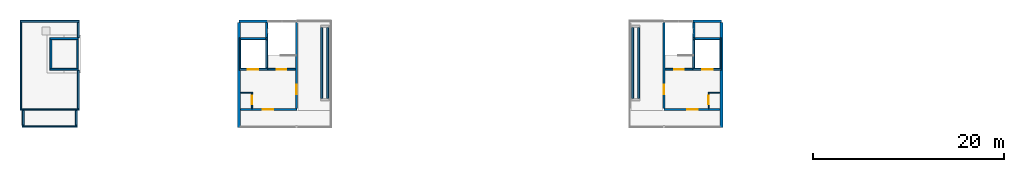
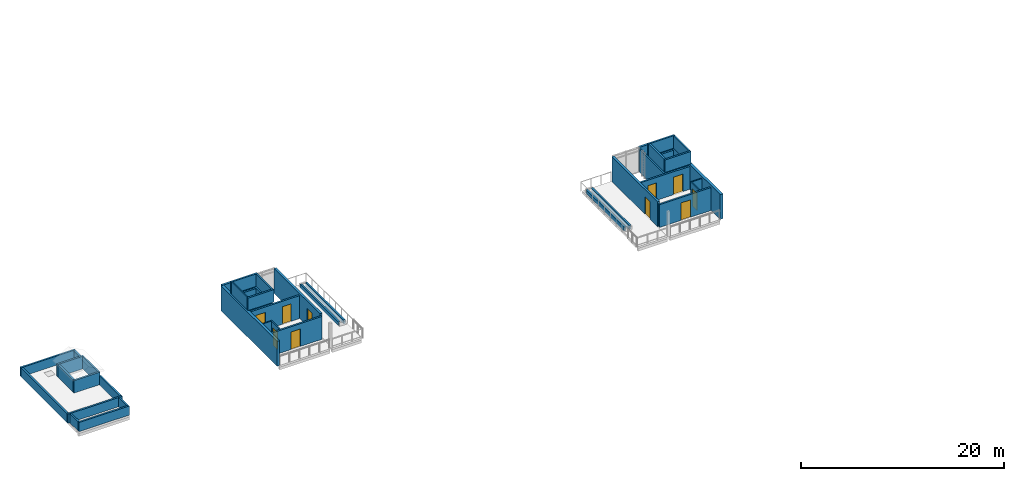
# One storey, part 10 of 15: 42 walls, 10 doors, 10 openings.
"""IFC4 building model written with IfcOpenShell, lengths in metres."""

from ifc_helpers import new_model, si_unit, direction, frame, frame_2d, origin, place, context, subcontext, project, spatial, rectangle, extrude, material, layer, layer_set, type_object, element, fill, save


model = new_model("IFC4")

# Units and contexts
model_context = context("Model", 3, precision=1e-05, world=origin(), true_north=direction((0.0, 1.0)))
body_context = subcontext(model_context, "Body", "Model", "MODEL_VIEW")
ifc_project = project(units=[si_unit("LENGTHUNIT", "METRE"), si_unit("AREAUNIT", "SQUARE_METRE"), si_unit("VOLUMEUNIT", "CUBIC_METRE"), si_unit("PLANEANGLEUNIT", "RADIAN"), si_unit("MASSUNIT", "GRAM", prefix="KILO")], contexts=[model_context])

# Site, building, storey
site_placement = place(None, origin())
site = spatial("IfcSite", under=ifc_project, at=site_placement, CompositionType="ELEMENT")
building_placement = place(site_placement, origin())
building = spatial("IfcBuilding", under=site, at=building_placement, Name="Ridgestep Commons", CompositionType="ELEMENT")
storey_placement = place(building_placement, frame((0.0, 0.0, 45.0)))
storey = spatial("IfcBuildingStorey", under=building, at=storey_placement, Name="L15", CompositionType="ELEMENT", Elevation=45.0)

# Wall, opening, door
ifc_material_1 = material(Name="Concrete C30/37", Category="concrete")
ifc_layer_1 = layer(ifc_material_1, 0.199951171875)
ifc_layer_set_1 = layer_set([ifc_layer_1], Name="Core south wall 200")
wall_type_1 = type_object("IfcWallType", Name="Core south wall 200", PredefinedType="SHEAR", material=ifc_layer_set_1)
wall_1_placement = place(storey_placement, frame((45.75, 13.64990234375, 0.0), z_axis=(0.0, 0.0, 1.0), x_axis=(1.0, 0.0, 0.0)))
wall_1 = element("IfcWall", 1, at=wall_1_placement, inside=storey, type_object=wall_type_1, Name="Core south wall A3C L15", PredefinedType="SHEAR", context=body_context, shape_type="SweptSolid", body=[
    extrude(rectangle(XDim=5.85009765625, YDim=0.199951171875, at=frame_2d((2.925048828125, 0.0))), origin(), (0.0, 0.0, 1.0), 2.75),
])
opening_1_placement = place(wall_1_placement, frame((2.3125, 0.0, 0.0)))
opening_1 = element("IfcOpeningElement", 2, at=opening_1_placement, cuts=wall_1, Name="Opening A3C/15/1", PredefinedType="OPENING", context=body_context, shape_type="SweptSolid", body=[
    extrude(rectangle(XDim=1.10009765625, YDim=2.10009765625, at=frame_2d((0.550048828125, 1.050048828125))), frame((0.0, 0.10986328125, 0.0), z_axis=(0.0, -1.0, 0.0), x_axis=(1.0, 0.0, 0.0)), (0.0, 0.0, 1.0), 0.219970703125),
])
ifc_material_2 = material(Name="Steel fire door", Category="steel")
door_type_1 = type_object("IfcDoorType", Name="Lobby door 1100 x 2100 FD60", OperationType="NOTDEFINED", PredefinedType="DOOR", material=ifc_material_2)
door_1_placement = place(opening_1_placement, origin())
door_1 = element("IfcDoor", 3, at=door_1_placement, inside=storey, type_object=door_type_1, Name="Lobby door A3C/15/1", OperationType="SINGLE_SWING_LEFT", OverallHeight=2.10009765625, OverallWidth=1.10009765625, PredefinedType="DOOR", context=body_context, shape_type="SweptSolid", body=[
    extrude(rectangle(XDim=1.10009765625, YDim=2.10009765625, at=frame_2d((0.550048828125, 1.050048828125))), frame((0.0, 0.02490234375, 0.0), z_axis=(0.0, -1.0, 0.0), x_axis=(1.0, 0.0, 0.0)), (0.0, 0.0, 1.0), 0.050048828125),
])
fill(opening_1, door_1)

wall_2_placement = place(storey_placement, frame((90.0, 13.64990234375, 0.0), z_axis=(0.0, 0.0, 1.0), x_axis=(1.0, 0.0, 0.0)))
wall_2 = element("IfcWall", 4, at=wall_2_placement, inside=storey, type_object=wall_type_1, Name="Core south wall A5C L15", PredefinedType="SHEAR", context=body_context, shape_type="SweptSolid", body=[
    extrude(rectangle(XDim=5.85009765625, YDim=0.199951171875, at=frame_2d((2.925048828125, 0.0))), origin(), (0.0, 0.0, 1.0), 2.75),
])
opening_2_placement = place(wall_2_placement, frame((2.4375, 0.0, 0.0)))
opening_2 = element("IfcOpeningElement", 5, at=opening_2_placement, cuts=wall_2, Name="Opening A5C/15/1", PredefinedType="OPENING", context=body_context, shape_type="SweptSolid", body=[
    extrude(rectangle(XDim=1.10009765625, YDim=2.10009765625, at=frame_2d((0.550048828125, 1.050048828125))), frame((0.0, 0.10986328125, 0.0), z_axis=(0.0, -1.0, 0.0), x_axis=(1.0, 0.0, 0.0)), (0.0, 0.0, 1.0), 0.219970703125),
])
door_2_placement = place(opening_2_placement, origin())
door_2 = element("IfcDoor", 6, at=door_2_placement, inside=storey, type_object=door_type_1, Name="Lobby door A5C/15/1", OperationType="SINGLE_SWING_LEFT", OverallHeight=2.10009765625, OverallWidth=1.10009765625, PredefinedType="DOOR", context=body_context, shape_type="SweptSolid", body=[
    extrude(rectangle(XDim=1.10009765625, YDim=2.10009765625, at=frame_2d((0.550048828125, 1.050048828125))), frame((0.0, 0.02490234375, 0.0), z_axis=(0.0, -1.0, 0.0), x_axis=(1.0, 0.0, 0.0)), (0.0, 0.0, 1.0), 0.050048828125),
])
fill(opening_2, door_2)

ifc_material_3 = material(Name="Concrete C30/37", Category="concrete")
ifc_layer_2 = layer(ifc_material_3, 0.1201171875)
ifc_layer_set_2 = layer_set([ifc_layer_2], Name="Core wall 120")
wall_type_2 = type_object("IfcWallType", Name="Core wall 120", PredefinedType="SHEAR", material=ifc_layer_set_2)
wall_3_placement = place(storey_placement, frame((46.93994140625, 13.75, 0.0), z_axis=(0.0, 0.0, 1.0), x_axis=(0.0, 1.0, 0.0)))
wall_3 = element("IfcWall", 7, at=wall_3_placement, inside=storey, type_object=wall_type_2, Name="Core riser w wall A3C L15", PredefinedType="SHEAR", context=body_context, shape_type="SweptSolid", body=[
    extrude(rectangle(XDim=1.719970703125, YDim=0.1201171875, at=frame_2d((0.85986328125, 0.0))), origin(), (0.0, 0.0, 1.0), 2.75),
])
opening_3_placement = place(wall_3_placement, frame((0.449951171875, 0.0, 0.0)))
opening_3 = element("IfcOpeningElement", 8, at=opening_3_placement, cuts=wall_3, Name="Opening A3C/15/4", PredefinedType="OPENING", context=body_context, shape_type="SweptSolid", body=[
    extrude(rectangle(XDim=0.89990234375, YDim=2.10009765625, at=frame_2d((0.449951171875, 1.050048828125))), frame((0.0, 0.070068359375, 0.0), z_axis=(0.0, -1.0, 0.0), x_axis=(1.0, 0.0, 0.0)), (0.0, 0.0, 1.0), 0.14013671875),
])
ifc_material_4 = material(Name="Steel fire door", Category="steel")
door_type_2 = type_object("IfcDoorType", Name="Riser door 900 x 2100 FD60", OperationType="NOTDEFINED", PredefinedType="DOOR", material=ifc_material_4)
door_3_placement = place(opening_3_placement, origin())
door_3 = element("IfcDoor", 9, at=door_3_placement, inside=storey, type_object=door_type_2, Name="Riser door A3C/15/4", OperationType="SINGLE_SWING_RIGHT", OverallHeight=2.10009765625, OverallWidth=0.89990234375, PredefinedType="DOOR", context=body_context, shape_type="SweptSolid", body=[
    extrude(rectangle(XDim=0.89990234375, YDim=2.10009765625, at=frame_2d((0.449951171875, 1.050048828125))), frame((0.0, 0.02490234375, 0.0), z_axis=(0.0, -1.0, 0.0), x_axis=(1.0, 0.0, 0.0)), (0.0, 0.0, 1.0), 0.050048828125),
])
fill(opening_3, door_3)

# Wall
wall_4_placement = place(storey_placement, frame((45.75, 15.409912109375, 0.0), z_axis=(0.0, 0.0, 1.0), x_axis=(1.0, 0.0, 0.0)))
element("IfcWall", 10, at=wall_4_placement, inside=storey, type_object=wall_type_2, Name="Core riser n wall A3C L15", PredefinedType="SHEAR", context=body_context, shape_type="SweptSolid", body=[
    extrude(rectangle(XDim=1.1298828125, YDim=0.1201171875, at=frame_2d((0.56494140625, 0.0))), origin(), (0.0, 0.0, 1.0), 2.75),
])

# Wall, opening, door
wall_5_placement = place(storey_placement, frame((94.659912109375, 13.75, 0.0), z_axis=(0.0, 0.0, 1.0), x_axis=(0.0, 1.0, 0.0)))
wall_5 = element("IfcWall", 11, at=wall_5_placement, inside=storey, type_object=wall_type_2, Name="Core riser w wall A5C L15", PredefinedType="SHEAR", context=body_context, shape_type="SweptSolid", body=[
    extrude(rectangle(XDim=1.719970703125, YDim=0.1201171875, at=frame_2d((0.85986328125, 0.0))), origin(), (0.0, 0.0, 1.0), 2.75),
])
opening_4_placement = place(wall_5_placement, frame((0.449951171875, 0.0, 0.0)))
opening_4 = element("IfcOpeningElement", 12, at=opening_4_placement, cuts=wall_5, Name="Opening A5C/15/4", PredefinedType="OPENING", context=body_context, shape_type="SweptSolid", body=[
    extrude(rectangle(XDim=0.89990234375, YDim=2.10009765625, at=frame_2d((0.449951171875, 1.050048828125))), frame((0.0, 0.070068359375, 0.0), z_axis=(0.0, -1.0, 0.0), x_axis=(1.0, 0.0, 0.0)), (0.0, 0.0, 1.0), 0.14013671875),
])
door_4_placement = place(opening_4_placement, origin())
door_4 = element("IfcDoor", 13, at=door_4_placement, inside=storey, type_object=door_type_2, Name="Riser door A5C/15/4", OperationType="SINGLE_SWING_LEFT", OverallHeight=2.10009765625, OverallWidth=0.89990234375, PredefinedType="DOOR", context=body_context, shape_type="SweptSolid", body=[
    extrude(rectangle(XDim=0.89990234375, YDim=2.10009765625, at=frame_2d((0.449951171875, 1.050048828125))), frame((0.0, 0.02490234375, 0.0), z_axis=(0.0, -1.0, 0.0), x_axis=(1.0, 0.0, 0.0)), (0.0, 0.0, 1.0), 0.050048828125),
])
fill(opening_4, door_4)

# Wall
wall_6_placement = place(storey_placement, frame((94.719970703125, 15.409912109375, 0.0), z_axis=(0.0, 0.0, 1.0), x_axis=(1.0, 0.0, 0.0)))
element("IfcWall", 14, at=wall_6_placement, inside=storey, type_object=wall_type_2, Name="Core riser n wall A5C L15", PredefinedType="SHEAR", context=body_context, shape_type="SweptSolid", body=[
    extrude(rectangle(XDim=1.130126953125, YDim=0.1201171875, at=frame_2d((0.56494140625, 0.0))), origin(), (0.0, 0.0, 1.0), 2.75),
])

# Wall, openings, doors
ifc_material_5 = material(Name="Concrete C30/37", Category="concrete")
ifc_layer_3 = layer(ifc_material_5, 0.199951171875)
ifc_layer_set_3 = layer_set([ifc_layer_3], Name="Core wall 200")
wall_type_3 = type_object("IfcWallType", Name="Core wall 200", PredefinedType="SHEAR", material=ifc_layer_set_3)
wall_7_placement = place(storey_placement, frame((45.75, 17.85009765625, 0.0), z_axis=(0.0, 0.0, 1.0), x_axis=(1.0, 0.0, 0.0)))
wall_7 = element("IfcWall", 15, at=wall_7_placement, inside=storey, type_object=wall_type_3, Name="Core lobby wall A3C L15", PredefinedType="SHEAR", context=body_context, shape_type="SweptSolid", body=[
    extrude(rectangle(XDim=5.72509765625, YDim=0.199951171875, at=frame_2d((2.862548828125, 0.0))), origin(), (0.0, 0.0, 1.0), 2.75),
])
opening_5_placement = place(wall_7_placement, frame((3.77490234375, 0.0, 0.0)))
opening_5 = element("IfcOpeningElement", 16, at=opening_5_placement, cuts=wall_7, Name="Opening A3C/15/2", PredefinedType="OPENING", context=body_context, shape_type="SweptSolid", body=[
    extrude(rectangle(XDim=1.0, YDim=2.10009765625, at=frame_2d((0.5, 1.050048828125))), frame((0.0, 0.10986328125, 0.0), z_axis=(0.0, -1.0, 0.0), x_axis=(1.0, 0.0, 0.0)), (0.0, 0.0, 1.0), 0.219970703125),
])
opening_6_placement = place(wall_7_placement, frame((0.762451171875, 0.0, 0.0)))
opening_6 = element("IfcOpeningElement", 17, at=opening_6_placement, cuts=wall_7, Name="Opening A3C/15/3", PredefinedType="OPENING", context=body_context, shape_type="SweptSolid", body=[
    extrude(rectangle(XDim=1.10009765625, YDim=2.10009765625, at=frame_2d((0.550048828125, 1.050048828125))), frame((0.0, 0.10986328125, 0.0), z_axis=(0.0, -1.0, 0.0), x_axis=(1.0, 0.0, 0.0)), (0.0, 0.0, 1.0), 0.219970703125),
])
ifc_material_6 = material(Name="Stainless steel", Category="steel")
door_type_3 = type_object("IfcDoorType", Name="Lift landing door 1100 x 2100 FD60", OperationType="DOUBLE_DOOR_SLIDING", PredefinedType="DOOR", material=ifc_material_6)
door_5_placement = place(opening_6_placement, origin())
door_5 = element("IfcDoor", 18, at=door_5_placement, inside=storey, type_object=door_type_3, Name="Landing door LD A3C L15", OperationType="DOUBLE_DOOR_SLIDING", OverallHeight=2.10009765625, OverallWidth=1.10009765625, PredefinedType="DOOR", context=body_context, shape_type="SweptSolid", body=[
    extrude(rectangle(XDim=1.10009765625, YDim=2.10009765625, at=frame_2d((0.550048828125, 1.050048828125))), frame((0.0, 0.02490234375, 0.0), z_axis=(0.0, -1.0, 0.0), x_axis=(1.0, 0.0, 0.0)), (0.0, 0.0, 1.0), 0.050048828125),
])
fill(opening_6, door_5)
ifc_material_7 = material(Name="Steel fire door", Category="steel")
door_type_4 = type_object("IfcDoorType", Name="Stair door 1000 x 2100 FD60", OperationType="NOTDEFINED", PredefinedType="DOOR", material=ifc_material_7)
door_6_placement = place(opening_5_placement, origin())
door_6 = element("IfcDoor", 19, at=door_6_placement, inside=storey, type_object=door_type_4, Name="Stair door A3C/15/2", OperationType="SINGLE_SWING_RIGHT", OverallHeight=2.10009765625, OverallWidth=1.0, PredefinedType="DOOR", context=body_context, shape_type="SweptSolid", body=[
    extrude(rectangle(XDim=1.0, YDim=2.10009765625, at=frame_2d((0.5, 1.050048828125))), frame((0.0, 0.02490234375, 0.0), z_axis=(0.0, -1.0, 0.0), x_axis=(1.0, 0.0, 0.0)), (0.0, 0.0, 1.0), 0.050048828125),
])
fill(opening_5, door_6)

# Walls
wall_8_placement = place(storey_placement, frame((48.47509765625, 17.949951171875, 0.0), z_axis=(0.0, 0.0, 1.0), x_axis=(0.0, 1.0, 0.0)))
element("IfcWall", 20, at=wall_8_placement, inside=storey, type_object=wall_type_3, Name="Core stair wall A3C L15", PredefinedType="SHEAR", context=body_context, shape_type="SweptSolid", body=[
    extrude(rectangle(XDim=4.800048828125, YDim=0.199951171875, at=frame_2d((2.39990234375, 0.0))), origin(), (0.0, 0.0, 1.0), 2.75),
])
wall_9_placement = place(storey_placement, frame((45.75, 21.050048828125, 0.0), z_axis=(0.0, 0.0, 1.0), x_axis=(1.0, 0.0, 0.0)))
element("IfcWall", 21, at=wall_9_placement, inside=storey, type_object=wall_type_3, Name="Core duct wall A3C L15", PredefinedType="SHEAR", context=body_context, shape_type="SweptSolid", body=[
    extrude(rectangle(XDim=2.625, YDim=0.199951171875, at=frame_2d((1.3125, 0.0))), origin(), (0.0, 0.0, 1.0), 2.75),
])

# Wall, openings, doors
wall_10_placement = place(storey_placement, frame((90.125, 17.85009765625, 0.0), z_axis=(0.0, 0.0, 1.0), x_axis=(1.0, 0.0, 0.0)))
wall_10 = element("IfcWall", 22, at=wall_10_placement, inside=storey, type_object=wall_type_3, Name="Core lobby wall A5C L15", PredefinedType="SHEAR", context=body_context, shape_type="SweptSolid", body=[
    extrude(rectangle(XDim=5.72509765625, YDim=0.199951171875, at=frame_2d((2.862548828125, 0.0))), origin(), (0.0, 0.0, 1.0), 2.75),
])
opening_7_placement = place(wall_10_placement, frame((0.949951171875, 0.0, 0.0)))
opening_7 = element("IfcOpeningElement", 23, at=opening_7_placement, cuts=wall_10, Name="Opening A5C/15/2", PredefinedType="OPENING", context=body_context, shape_type="SweptSolid", body=[
    extrude(rectangle(XDim=1.0, YDim=2.10009765625, at=frame_2d((0.5, 1.050048828125))), frame((0.0, 0.10986328125, 0.0), z_axis=(0.0, -1.0, 0.0), x_axis=(1.0, 0.0, 0.0)), (0.0, 0.0, 1.0), 0.219970703125),
])
opening_8_placement = place(wall_10_placement, frame((3.862548828125, 0.0, 0.0)))
opening_8 = element("IfcOpeningElement", 24, at=opening_8_placement, cuts=wall_10, Name="Opening A5C/15/3", PredefinedType="OPENING", context=body_context, shape_type="SweptSolid", body=[
    extrude(rectangle(XDim=1.10009765625, YDim=2.10009765625, at=frame_2d((0.550048828125, 1.050048828125))), frame((0.0, 0.10986328125, 0.0), z_axis=(0.0, -1.0, 0.0), x_axis=(1.0, 0.0, 0.0)), (0.0, 0.0, 1.0), 0.219970703125),
])
door_7_placement = place(opening_8_placement, origin())
door_7 = element("IfcDoor", 25, at=door_7_placement, inside=storey, type_object=door_type_3, Name="Landing door LD A5C L15", OperationType="DOUBLE_DOOR_SLIDING", OverallHeight=2.10009765625, OverallWidth=1.10009765625, PredefinedType="DOOR", context=body_context, shape_type="SweptSolid", body=[
    extrude(rectangle(XDim=1.10009765625, YDim=2.10009765625, at=frame_2d((0.550048828125, 1.050048828125))), frame((0.0, 0.02490234375, 0.0), z_axis=(0.0, -1.0, 0.0), x_axis=(1.0, 0.0, 0.0)), (0.0, 0.0, 1.0), 0.050048828125),
])
fill(opening_8, door_7)
door_8_placement = place(opening_7_placement, origin())
door_8 = element("IfcDoor", 26, at=door_8_placement, inside=storey, type_object=door_type_4, Name="Stair door A5C/15/2", OperationType="SINGLE_SWING_RIGHT", OverallHeight=2.10009765625, OverallWidth=1.0, PredefinedType="DOOR", context=body_context, shape_type="SweptSolid", body=[
    extrude(rectangle(XDim=1.0, YDim=2.10009765625, at=frame_2d((0.5, 1.050048828125))), frame((0.0, 0.02490234375, 0.0), z_axis=(0.0, -1.0, 0.0), x_axis=(1.0, 0.0, 0.0)), (0.0, 0.0, 1.0), 0.050048828125),
])
fill(opening_7, door_8)

# Walls
wall_11_placement = place(storey_placement, frame((93.125, 17.949951171875, 0.0), z_axis=(0.0, 0.0, 1.0), x_axis=(0.0, 1.0, 0.0)))
element("IfcWall", 27, at=wall_11_placement, inside=storey, type_object=wall_type_3, Name="Core stair wall A5C L15", PredefinedType="SHEAR", context=body_context, shape_type="SweptSolid", body=[
    extrude(rectangle(XDim=4.800048828125, YDim=0.199951171875, at=frame_2d((2.39990234375, 0.0))), origin(), (0.0, 0.0, 1.0), 2.75),
])
wall_12_placement = place(storey_placement, frame((93.22509765625, 21.050048828125, 0.0), z_axis=(0.0, 0.0, 1.0), x_axis=(1.0, 0.0, 0.0)))
element("IfcWall", 28, at=wall_12_placement, inside=storey, type_object=wall_type_3, Name="Core duct wall A5C L15", PredefinedType="SHEAR", context=body_context, shape_type="SweptSolid", body=[
    extrude(rectangle(XDim=2.625, YDim=0.199951171875, at=frame_2d((1.3125, 0.0))), origin(), (0.0, 0.0, 1.0), 2.75),
])

# Wall, opening, door
ifc_material_8 = material(Name="Concrete C30/37", Category="concrete")
ifc_layer_4 = layer(ifc_material_8, 0.25)
ifc_layer_set_4 = layer_set([ifc_layer_4], Name="Exposed core cross wall 250")
wall_type_4 = type_object("IfcWallType", Name="Exposed core cross wall 250", PredefinedType="SHEAR", material=ifc_layer_set_4)
wall_13_placement = place(storey_placement, frame((51.60009765625, 13.75, 0.0), z_axis=(0.0, 0.0, 1.0), x_axis=(0.0, 1.0, 0.0)))
wall_13 = element("IfcWall", 29, at=wall_13_placement, inside=storey, type_object=wall_type_4, Name="Cross wall A-15-0516", PredefinedType="SHEAR", context=body_context, shape_type="SweptSolid", body=[
    extrude(rectangle(XDim=9.0, YDim=0.25, at=frame_2d((4.5, 0.0))), origin(), (0.0, 0.0, 1.0), 3.0),
])
opening_9_placement = place(wall_13_placement, frame((1.5, 0.0, 0.0)))
opening_9 = element("IfcOpeningElement", 30, at=opening_9_placement, cuts=wall_13, Name="Opening A3C/15/T", PredefinedType="OPENING", context=body_context, shape_type="SweptSolid", body=[
    extrude(rectangle(XDim=1.0, YDim=2.10009765625, at=frame_2d((0.5, 1.050048828125))), frame((0.0, 0.135009765625, 0.0), z_axis=(0.0, -1.0, 0.0), x_axis=(1.0, 0.0, 0.0)), (0.0, 0.0, 1.0), 0.27001953125),
])
ifc_material_9 = material(Name="Aluminium and glass", Category="aluminium")
door_type_5 = type_object("IfcDoorType", Name="Terrace door 1000 x 2100 FD60", OperationType="NOTDEFINED", PredefinedType="DOOR", material=ifc_material_9)
door_9_placement = place(opening_9_placement, origin())
door_9 = element("IfcDoor", 31, at=door_9_placement, inside=storey, type_object=door_type_5, Name="Terrace door A3C/15/T", OperationType="SINGLE_SWING_RIGHT", OverallHeight=2.10009765625, OverallWidth=1.0, PredefinedType="DOOR", context=body_context, shape_type="SweptSolid", body=[
    extrude(rectangle(XDim=1.0, YDim=2.10009765625, at=frame_2d((0.5, 1.050048828125))), frame((0.0, 0.02490234375, 0.0), z_axis=(0.0, -1.0, 0.0), x_axis=(1.0, 0.0, 0.0)), (0.0, 0.0, 1.0), 0.050048828125),
])
fill(opening_9, door_9)

wall_14_placement = place(storey_placement, frame((90.0, 13.75, 0.0), z_axis=(0.0, 0.0, 1.0), x_axis=(0.0, 1.0, 0.0)))
wall_14 = element("IfcWall", 32, at=wall_14_placement, inside=storey, type_object=wall_type_4, Name="Cross wall A-15-0900", PredefinedType="SHEAR", context=body_context, shape_type="SweptSolid", body=[
    extrude(rectangle(XDim=9.0, YDim=0.25, at=frame_2d((4.5, 0.0))), origin(), (0.0, 0.0, 1.0), 3.0),
])
opening_10_placement = place(wall_14_placement, frame((1.5, 0.0, 0.0)))
opening_10 = element("IfcOpeningElement", 33, at=opening_10_placement, cuts=wall_14, Name="Opening A5C/15/T", PredefinedType="OPENING", context=body_context, shape_type="SweptSolid", body=[
    extrude(rectangle(XDim=1.0, YDim=2.10009765625, at=frame_2d((0.5, 1.050048828125))), frame((0.0, 0.135009765625, 0.0), z_axis=(0.0, -1.0, 0.0), x_axis=(1.0, 0.0, 0.0)), (0.0, 0.0, 1.0), 0.27001953125),
])
door_10_placement = place(opening_10_placement, origin())
door_10 = element("IfcDoor", 34, at=door_10_placement, inside=storey, type_object=door_type_5, Name="Terrace door A5C/15/T", OperationType="SINGLE_SWING_LEFT", OverallHeight=2.10009765625, OverallWidth=1.0, PredefinedType="DOOR", context=body_context, shape_type="SweptSolid", body=[
    extrude(rectangle(XDim=1.0, YDim=2.10009765625, at=frame_2d((0.5, 1.050048828125))), frame((0.0, 0.02490234375, 0.0), z_axis=(0.0, -1.0, 0.0), x_axis=(1.0, 0.0, 0.0)), (0.0, 0.0, 1.0), 0.050048828125),
])
fill(opening_10, door_10)

# Walls
ifc_material_10 = material(Name="Precast concrete C40/50", Category="concrete")
ifc_layer_5 = layer(ifc_material_10, 0.300048828125)
ifc_layer_set_5 = layer_set([ifc_layer_5], Name="Exposed division wall 300")
wall_type_5 = type_object("IfcWallType", Name="Exposed division wall 300", PredefinedType="SHEAR", material=ifc_layer_set_5)
for number, where, z_axis, x_axis, name in (
    (35, (45.60009765625, 11.75, 0.0), (0.0, 0.0, 1.0), (0.0, 1.0, 0.0), "Cross wall A-15-0456"),
    (36, (96.0, 11.75, 0.0), (0.0, 0.0, 1.0), (0.0, 1.0, 0.0), "Cross wall A-15-0960"),
):
    element("IfcWall", number, at=place(storey_placement, frame(where, z_axis=z_axis, x_axis=x_axis)), inside=storey, type_object=wall_type_5, Name=name, PredefinedType="SHEAR", context=body_context, shape_type="SweptSolid", body=[
        extrude(rectangle(XDim=11.0, YDim=0.300048828125, at=frame_2d((5.5, 0.0))), origin(), (0.0, 0.0, 1.0), 3.0),
    ])
ifc_material_11 = material(Name="Concrete C30/37", Category="concrete")
ifc_layer_6 = layer(ifc_material_11, 0.14990234375)
ifc_layer_set_6 = layer_set([ifc_layer_6], Name="Lift overrun wall 150")
wall_type_6 = type_object("IfcWallType", Name="Lift overrun wall 150", PredefinedType="SHEAR", material=ifc_layer_set_6)
for number, where, z_axis, x_axis, name in (
    (37, (28.72509765625, 17.949951171875, 0.0), (0.0, 0.0, 1.0), (0.0, 1.0, 0.0), "Lift overrun wall A1C"),
    (38, (45.675048828125, 17.949951171875, 3.0), (0.0, 0.0, 1.0), (0.0, 1.0, 0.0), "Lift overrun wall A3C"),
    (39, (95.925048828125, 17.949951171875, 3.0), (0.0, 0.0, 1.0), (0.0, 1.0, 0.0), "Lift overrun wall A5C"),
):
    element("IfcWall", number, at=place(storey_placement, frame(where, z_axis=z_axis, x_axis=x_axis)), inside=storey, type_object=wall_type_6, Name=name, PredefinedType="SHEAR", context=body_context, shape_type="SweptSolid", body=[
        extrude(rectangle(XDim=3.0, YDim=0.14990234375, at=frame_2d((1.5, 0.0))), origin(), (0.0, 0.0, 1.0), 1.5),
    ])
ifc_material_12 = material(Name="Concrete C30/37", Category="concrete")
ifc_layer_7 = layer(ifc_material_12, 0.199951171875)
ifc_layer_set_7 = layer_set([ifc_layer_7], Name="Lift overrun wall 200")
wall_type_7 = type_object("IfcWallType", Name="Lift overrun wall 200", PredefinedType="SHEAR", material=ifc_layer_set_7)
for number, where, z_axis, x_axis, name in (
    (40, (25.824951171875, 17.85009765625, 0.0), (0.0, 0.0, 1.0), (1.0, 0.0, 0.0), "Lift overrun wall A1C"),
    (41, (25.824951171875, 21.050048828125, 0.0), (0.0, 0.0, 1.0), (1.0, 0.0, 0.0), "Lift overrun wall A1C"),
):
    element("IfcWall", number, at=place(storey_placement, frame(where, z_axis=z_axis, x_axis=x_axis)), inside=storey, type_object=wall_type_7, Name=name, PredefinedType="SHEAR", context=body_context, shape_type="SweptSolid", body=[
        extrude(rectangle(XDim=2.97509765625, YDim=0.199951171875, at=frame_2d((1.487548828125, 0.0))), origin(), (0.0, 0.0, 1.0), 1.5),
    ])
wall_15_placement = place(storey_placement, frame((25.925048828125, 17.949951171875, 0.0), z_axis=(0.0, 0.0, 1.0), x_axis=(0.0, 1.0, 0.0)))
element("IfcWall", 42, at=wall_15_placement, inside=storey, type_object=wall_type_7, Name="Lift overrun wall A1C", PredefinedType="SHEAR", context=body_context, shape_type="SweptSolid", body=[
    extrude(rectangle(XDim=3.0, YDim=0.199951171875, at=frame_2d((1.5, 0.0))), origin(), (0.0, 0.0, 1.0), 1.5),
])
for number, where, z_axis, x_axis, name in (
    (43, (45.60009765625, 17.85009765625, 3.0), (0.0, 0.0, 1.0), (1.0, 0.0, 0.0), "Lift overrun wall A3C"),
    (44, (45.60009765625, 21.050048828125, 3.0), (0.0, 0.0, 1.0), (1.0, 0.0, 0.0), "Lift overrun wall A3C"),
):
    element("IfcWall", number, at=place(storey_placement, frame(where, z_axis=z_axis, x_axis=x_axis)), inside=storey, type_object=wall_type_7, Name=name, PredefinedType="SHEAR", context=body_context, shape_type="SweptSolid", body=[
        extrude(rectangle(XDim=2.974853515625, YDim=0.199951171875, at=frame_2d((1.4873046875, 0.0))), origin(), (0.0, 0.0, 1.0), 1.5),
    ])
wall_16_placement = place(storey_placement, frame((48.47509765625, 17.949951171875, 3.0), z_axis=(0.0, 0.0, 1.0), x_axis=(0.0, 1.0, 0.0)))
element("IfcWall", 45, at=wall_16_placement, inside=storey, type_object=wall_type_7, Name="Lift overrun wall A3C", PredefinedType="SHEAR", context=body_context, shape_type="SweptSolid", body=[
    extrude(rectangle(XDim=3.0, YDim=0.199951171875, at=frame_2d((1.5, 0.0))), origin(), (0.0, 0.0, 1.0), 1.5),
])
for number, where, z_axis, x_axis, name in (
    (46, (93.02490234375, 17.85009765625, 3.0), (0.0, 0.0, 1.0), (1.0, 0.0, 0.0), "Lift overrun wall A5C"),
    (47, (93.02490234375, 21.050048828125, 3.0), (0.0, 0.0, 1.0), (1.0, 0.0, 0.0), "Lift overrun wall A5C"),
):
    element("IfcWall", number, at=place(storey_placement, frame(where, z_axis=z_axis, x_axis=x_axis)), inside=storey, type_object=wall_type_7, Name=name, PredefinedType="SHEAR", context=body_context, shape_type="SweptSolid", body=[
        extrude(rectangle(XDim=2.97509765625, YDim=0.199951171875, at=frame_2d((1.487548828125, 0.0))), origin(), (0.0, 0.0, 1.0), 1.5),
    ])
wall_17_placement = place(storey_placement, frame((93.125, 17.949951171875, 3.0), z_axis=(0.0, 0.0, 1.0), x_axis=(0.0, 1.0, 0.0)))
element("IfcWall", 48, at=wall_17_placement, inside=storey, type_object=wall_type_7, Name="Lift overrun wall A5C", PredefinedType="SHEAR", context=body_context, shape_type="SweptSolid", body=[
    extrude(rectangle(XDim=3.0, YDim=0.199951171875, at=frame_2d((1.5, 0.0))), origin(), (0.0, 0.0, 1.0), 1.5),
])
ifc_material_13 = material(Name="Precast concrete C40/50", Category="concrete")
ifc_layer_8 = layer(ifc_material_13, 0.25)
ifc_layer_set_8 = layer_set([ifc_layer_8], Name="North facade panel 250")
wall_type_8 = type_object("IfcWallType", Name="North facade panel 250", PredefinedType="SOLIDWALL", material=ifc_layer_set_8)
wall_18_placement = place(storey_placement, frame((45.60009765625, 22.875, 0.0), z_axis=(0.0, 0.0, 1.0), x_axis=(1.0, 0.0, 0.0)))
element("IfcWall", 49, at=wall_18_placement, inside=storey, type_object=wall_type_8, Name="North panel A3C L15", PredefinedType="SOLIDWALL", context=body_context, shape_type="SweptSolid", body=[
    extrude(rectangle(XDim=2.974853515625, YDim=0.25, at=frame_2d((1.4873046875, 0.0))), origin(), (0.0, 0.0, 1.0), 3.0),
])
wall_19_placement = place(storey_placement, frame((93.02490234375, 22.875, 0.0), z_axis=(0.0, 0.0, 1.0), x_axis=(1.0, 0.0, 0.0)))
element("IfcWall", 50, at=wall_19_placement, inside=storey, type_object=wall_type_8, Name="North panel A5C L15", PredefinedType="SOLIDWALL", context=body_context, shape_type="SweptSolid", body=[
    extrude(rectangle(XDim=2.97509765625, YDim=0.25, at=frame_2d((1.487548828125, 0.0))), origin(), (0.0, 0.0, 1.0), 3.0),
])
ifc_material_14 = material(Name="Precast concrete C40/50", Category="concrete")
ifc_layer_9 = layer(ifc_material_14, 0.199951171875)
ifc_layer_set_9 = layer_set([ifc_layer_9], Name="Parapet wall 200")
wall_type_9 = type_object("IfcWallType", Name="Parapet wall 200", PredefinedType="PARAPET", material=ifc_layer_set_9)
for number, where, z_axis, x_axis, name in (
    (51, (22.699951171875, 22.875, 0.0), (0.0, 0.0, 1.0), (1.0, 0.0, 0.0), "Parapet A1C north"),
    (52, (22.699951171875, 13.64990234375, 0.0), (0.0, 0.0, 1.0), (1.0, 0.0, 0.0), "Parapet A1C south"),
):
    element("IfcWall", number, at=place(storey_placement, frame(where, z_axis=z_axis, x_axis=x_axis)), inside=storey, type_object=wall_type_9, Name=name, PredefinedType="PARAPET", context=body_context, shape_type="SweptSolid", body=[
        extrude(rectangle(XDim=6.199951171875, YDim=0.199951171875, at=frame_2d((3.10009765625, 0.0))), origin(), (0.0, 0.0, 1.0), 1.10009765625),
    ])
wall_20_placement = place(storey_placement, frame((22.800048828125, 13.75, 0.0), z_axis=(0.0, 0.0, 1.0), x_axis=(0.0, 1.0, 0.0)))
element("IfcWall", 53, at=wall_20_placement, inside=storey, type_object=wall_type_9, Name="Parapet A1C west", PredefinedType="PARAPET", context=body_context, shape_type="SweptSolid", body=[
    extrude(rectangle(XDim=9.02490234375, YDim=0.199951171875, at=frame_2d((4.512451171875, 0.0))), origin(), (0.0, 0.0, 1.0), 1.10009765625),
])
wall_21_placement = place(storey_placement, frame((28.800048828125, 13.75, 0.0), z_axis=(0.0, 0.0, 1.0), x_axis=(0.0, 1.0, 0.0)))
element("IfcWall", 54, at=wall_21_placement, inside=storey, type_object=wall_type_9, Name="Parapet A1C east", PredefinedType="PARAPET", context=body_context, shape_type="SweptSolid", body=[
    extrude(rectangle(XDim=4.0, YDim=0.199951171875, at=frame_2d((2.0, 0.0))), origin(), (0.0, 0.0, 1.0), 1.10009765625),
])
wall_22_placement = place(storey_placement, frame((28.800048828125, 21.14990234375, 0.0), z_axis=(0.0, 0.0, 1.0), x_axis=(0.0, 1.0, 0.0)))
element("IfcWall", 55, at=wall_22_placement, inside=storey, type_object=wall_type_9, Name="Parapet A1C east", PredefinedType="PARAPET", context=body_context, shape_type="SweptSolid", body=[
    extrude(rectangle(XDim=1.625, YDim=0.199951171875, at=frame_2d((0.8125, 0.0))), origin(), (0.0, 0.0, 1.0), 1.10009765625),
])
wall_23_placement = place(storey_placement, frame((22.925048828125, 11.875, 0.0), z_axis=(0.0, 0.0, 1.0), x_axis=(1.0, 0.0, 0.0)))
element("IfcWall", 56, at=wall_23_placement, inside=storey, type_object=wall_type_9, Name="Parapet A1C gallery south", PredefinedType="PARAPET", context=body_context, shape_type="SweptSolid", body=[
    extrude(rectangle(XDim=5.75, YDim=0.199951171875, at=frame_2d((2.875, 0.0))), origin(), (0.0, 0.0, 1.0), 1.10009765625),
])
for number, where, z_axis, x_axis, name in (
    (57, (23.02490234375, 11.97509765625, 0.0), (0.0, 0.0, 1.0), (0.0, 1.0, 0.0), "Parapet A1C gallery west"),
    (58, (28.574951171875, 11.97509765625, 0.0), (0.0, 0.0, 1.0), (0.0, 1.0, 0.0), "Parapet A1C gallery east"),
):
    element("IfcWall", number, at=place(storey_placement, frame(where, z_axis=z_axis, x_axis=x_axis)), inside=storey, type_object=wall_type_9, Name=name, PredefinedType="PARAPET", context=body_context, shape_type="SweptSolid", body=[
        extrude(rectangle(XDim=1.574951171875, YDim=0.199951171875, at=frame_2d((0.78759765625, 0.0))), origin(), (0.0, 0.0, 1.0), 1.10009765625),
    ])
ifc_material_15 = material(Name="Facing brick", Category="masonry")
ifc_layer_10 = layer(ifc_material_15, 0.199951171875)
ifc_layer_set_10 = layer_set([ifc_layer_10], Name="Planter wall 200")
wall_type_10 = type_object("IfcWallType", Name="Planter wall 200", PredefinedType="SOLIDWALL", material=ifc_layer_set_10)
for number, where, z_axis, x_axis, name in (
    (59, (54.25, 14.75, 0.010009765625), (0.0, 0.0, 1.0), (0.0, 1.0, 0.0), "Planter wall A3R3W"),
    (60, (54.85009765625, 14.75, 0.010009765625), (0.0, 0.0, 1.0), (0.0, 1.0, 0.0), "Planter wall A3R3E"),
    (61, (86.75, 14.75, 0.010009765625), (0.0, 0.0, 1.0), (0.0, 1.0, 0.0), "Planter wall A5R3W"),
    (62, (87.35009765625, 14.75, 0.010009765625), (0.0, 0.0, 1.0), (0.0, 1.0, 0.0), "Planter wall A5R3E"),
):
    element("IfcWall", number, at=place(storey_placement, frame(where, z_axis=z_axis, x_axis=x_axis)), inside=storey, type_object=wall_type_10, Name=name, PredefinedType="SOLIDWALL", context=body_context, shape_type="SweptSolid", body=[
        extrude(rectangle(XDim=7.5, YDim=0.199951171875, at=frame_2d((3.75, 0.0))), origin(), (0.0, 0.0, 1.0), 0.449951171875),
    ])

save(model, "model.ifc")
